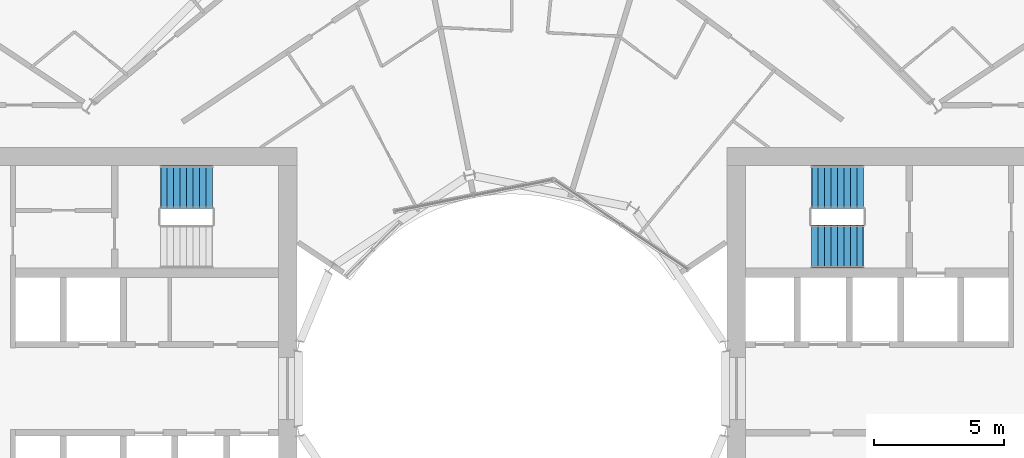
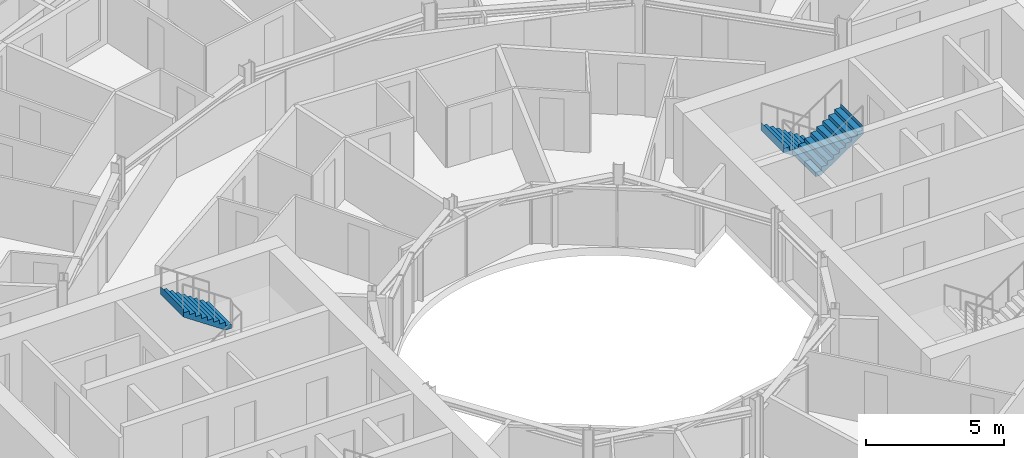
# One storey, part 24 of 25: 3 stair flights, 2 elements without a shape of their own.
"""IFC4 building model written with IfcOpenShell, lengths in metres."""

from ifc_helpers import new_model, si_unit, direction, frame, origin, place, context, subcontext, project, spatial, triangles, material, type_object, element, aggregate, save


model = new_model("IFC4")

# Units and contexts
model_context = context("Model", 3, precision=1e-05, world=origin(), true_north=direction((0.0, 1.0)))
body_context = subcontext(model_context, "Body", "Model", "MODEL_VIEW")
ifc_project = project(units=[si_unit("LENGTHUNIT", "METRE"), si_unit("AREAUNIT", "SQUARE_METRE"), si_unit("VOLUMEUNIT", "CUBIC_METRE"), si_unit("PLANEANGLEUNIT", "RADIAN"), si_unit("MASSUNIT", "GRAM", prefix="KILO")], contexts=[model_context])

# Site, building, storey
site_placement = place(None, origin())
site = spatial("IfcSite", under=ifc_project, at=site_placement, CompositionType="ELEMENT")
building_placement = place(site_placement, origin())
building = spatial("IfcBuilding", under=site, at=building_placement, Name="Maasbend Ring Residences", CompositionType="ELEMENT")
storey_placement = place(building_placement, frame((0.0, 0.0, 94.10009765625)))
storey = spatial("IfcBuildingStorey", under=building, at=storey_placement, Name="L27", CompositionType="ELEMENT", Elevation=94.10009765625)

# Stair, stair flights
ifc_material_1 = material(Name="Concrete C40/50", Category="concrete")
stair_type = type_object("IfcStairType", Name="CORE STAIR 18 RISERS", PredefinedType="HALF_TURN_STAIR", material=ifc_material_1)
stair_1_placement = place(storey_placement, origin())
stair_1 = element("IfcStair", 1, at=stair_1_placement, inside=storey, type_object=stair_type, Name="L27 Exit stair ST-E1", PredefinedType="HALF_TURN_STAIR")
ifc_material_2 = material(Name="Concrete C40/50", Category="concrete")
stair_flight_type = type_object("IfcStairFlightType", Name="CORE STAIR FLIGHT 1650", PredefinedType="STRAIGHT", material=ifc_material_2)
stair_flight_1_placement = place(storey_placement, frame((13.550048828125, 7.77490234375, 0.0), z_axis=(0.0, 0.0, 1.0), x_axis=(-1.0, 0.0, 0.0)))
stair_flight_1 = element("IfcStairFlight", 2, at=stair_flight_1_placement, type_object=stair_flight_type, Name="ST-E1 flight 1", NumberOfRisers=9, NumberOfTreads=8, PredefinedType="STRAIGHT", RiserHeight=0.169444444, TreadLength=0.25, context=body_context, shape_type="Tessellation", body=[
    triangles([(0.24072265625, 0.824951171875, -0.02001953125), (2.0029296875, 0.824951171875, 1.174560546875), (2.0029296875, 0.824951171875, 1.52490234375), (1.989990234375, 0.824951171875, 1.35546875), (1.75, 0.824951171875, 1.35546875), (1.75, 0.824951171875, 1.18603515625), (1.5, 0.824951171875, 1.18603515625), (1.5, 0.824951171875, 1.0166015625), (1.25, 0.824951171875, 1.0166015625), (1.25, 0.824951171875, 0.84716796875), (1.0, 0.824951171875, 0.84716796875), (1.0, 0.824951171875, 0.677734375), (0.75, 0.824951171875, 0.677734375), (0.75, 0.824951171875, 0.50830078125), (0.5, 0.824951171875, 0.50830078125), (0.5, 0.824951171875, 0.3388671875), (0.25, 0.824951171875, 0.3388671875), (0.25, 0.824951171875, 0.16943359375), (0.0, 0.824951171875, 0.16943359375), (0.0, 0.824951171875, 0.0), (-0.0029296875, 0.824951171875, 0.0), (-0.0029296875, 0.824951171875, -0.02001953125), (0.24072265625, 0.27490234375, -0.02001953125), (2.0029296875, 0.27490234375, 1.174560546875), (2.0029296875, 0.27490234375, 1.52490234375), (1.989990234375, 0.27490234375, 1.35546875), (1.75, 0.27490234375, 1.35546875), (1.75, 0.27490234375, 1.18603515625), (1.5, 0.27490234375, 1.18603515625), (1.5, 0.27490234375, 1.0166015625), (1.25, 0.27490234375, 1.0166015625), (1.25, 0.27490234375, 0.84716796875), (1.0, 0.27490234375, 0.84716796875), (1.0, 0.27490234375, 0.677734375), (0.75, 0.27490234375, 0.677734375), (0.75, 0.27490234375, 0.50830078125), (0.5, 0.27490234375, 0.50830078125), (0.5, 0.27490234375, 0.3388671875), (0.25, 0.27490234375, 0.3388671875), (0.25, 0.27490234375, 0.16943359375), (0.0, 0.27490234375, 0.16943359375), (0.0, 0.27490234375, 0.0), (-0.0029296875, 0.27490234375, 0.0), (-0.0029296875, 0.27490234375, -0.02001953125), (0.24072265625, -0.27490234375, -0.02001953125), (2.0029296875, -0.27490234375, 1.174560546875), (2.0029296875, -0.27490234375, 1.52490234375), (1.989990234375, -0.27490234375, 1.35546875), (1.75, -0.27490234375, 1.35546875), (1.75, -0.27490234375, 1.18603515625), (1.5, -0.27490234375, 1.18603515625), (1.5, -0.27490234375, 1.0166015625), (1.25, -0.27490234375, 1.0166015625), (1.25, -0.27490234375, 0.84716796875), (1.0, -0.27490234375, 0.84716796875), (1.0, -0.27490234375, 0.677734375), (0.75, -0.27490234375, 0.677734375), (0.75, -0.27490234375, 0.50830078125), (0.5, -0.27490234375, 0.50830078125), (0.5, -0.27490234375, 0.3388671875), (0.25, -0.27490234375, 0.3388671875), (0.25, -0.27490234375, 0.16943359375), (0.0, -0.27490234375, 0.16943359375), (0.0, -0.27490234375, 0.0), (-0.0029296875, -0.27490234375, 0.0), (-0.0029296875, -0.27490234375, -0.02001953125), (0.24072265625, -0.824951171875, -0.02001953125), (2.0029296875, -0.824951171875, 1.174560546875), (2.0029296875, -0.824951171875, 1.52490234375), (1.989990234375, -0.824951171875, 1.35546875), (1.75, -0.824951171875, 1.35546875), (1.75, -0.824951171875, 1.18603515625), (1.5, -0.824951171875, 1.18603515625), (1.5, -0.824951171875, 1.0166015625), (1.25, -0.824951171875, 1.0166015625), (1.25, -0.824951171875, 0.84716796875), (1.0, -0.824951171875, 0.84716796875), (1.0, -0.824951171875, 0.677734375), (0.75, -0.824951171875, 0.677734375), (0.75, -0.824951171875, 0.50830078125), (0.5, -0.824951171875, 0.50830078125), (0.5, -0.824951171875, 0.3388671875), (0.25, -0.824951171875, 0.3388671875), (0.25, -0.824951171875, 0.16943359375), (0.0, -0.824951171875, 0.16943359375), (0.0, -0.824951171875, 0.0), (-0.0029296875, -0.824951171875, 0.0), (-0.0029296875, -0.824951171875, -0.02001953125)], [[1, 2, 24], [1, 24, 23], [23, 24, 46], [23, 46, 45], [45, 46, 68], [45, 68, 67], [2, 3, 25], [2, 25, 24], [24, 25, 47], [24, 47, 46], [46, 47, 69], [46, 69, 68], [3, 4, 26], [3, 26, 25], [25, 26, 48], [25, 48, 47], [47, 48, 70], [47, 70, 69], [4, 5, 27], [4, 27, 26], [26, 27, 49], [26, 49, 48], [48, 49, 71], [48, 71, 70], [5, 6, 28], [5, 28, 27], [27, 28, 50], [27, 50, 49], [49, 50, 72], [49, 72, 71], [6, 7, 29], [6, 29, 28], [28, 29, 51], [28, 51, 50], [50, 51, 73], [50, 73, 72], [7, 8, 30], [7, 30, 29], [29, 30, 52], [29, 52, 51], [51, 52, 74], [51, 74, 73], [8, 9, 31], [8, 31, 30], [30, 31, 53], [30, 53, 52], [52, 53, 75], [52, 75, 74], [9, 10, 32], [9, 32, 31], [31, 32, 54], [31, 54, 53], [53, 54, 76], [53, 76, 75], [10, 11, 33], [10, 33, 32], [32, 33, 55], [32, 55, 54], [54, 55, 77], [54, 77, 76], [11, 12, 34], [11, 34, 33], [33, 34, 56], [33, 56, 55], [55, 56, 78], [55, 78, 77], [12, 13, 35], [12, 35, 34], [34, 35, 57], [34, 57, 56], [56, 57, 79], [56, 79, 78], [13, 14, 36], [13, 36, 35], [35, 36, 58], [35, 58, 57], [57, 58, 80], [57, 80, 79], [14, 15, 37], [14, 37, 36], [36, 37, 59], [36, 59, 58], [58, 59, 81], [58, 81, 80], [15, 16, 38], [15, 38, 37], [37, 38, 60], [37, 60, 59], [59, 60, 82], [59, 82, 81], [16, 17, 39], [16, 39, 38], [38, 39, 61], [38, 61, 60], [60, 61, 83], [60, 83, 82], [17, 18, 40], [17, 40, 39], [39, 40, 62], [39, 62, 61], [61, 62, 84], [61, 84, 83], [18, 19, 41], [18, 41, 40], [40, 41, 63], [40, 63, 62], [62, 63, 85], [62, 85, 84], [19, 20, 42], [19, 42, 41], [41, 42, 64], [41, 64, 63], [63, 64, 86], [63, 86, 85], [20, 21, 43], [20, 43, 42], [42, 43, 65], [42, 65, 64], [64, 65, 87], [64, 87, 86], [21, 22, 44], [21, 44, 43], [43, 44, 66], [43, 66, 65], [65, 66, 88], [65, 88, 87], [22, 1, 23], [22, 23, 44], [44, 23, 45], [44, 45, 66], [66, 45, 67], [66, 67, 88], [22, 2, 1], [2, 4, 3], [2, 5, 4], [2, 6, 5], [22, 6, 2], [6, 8, 7], [22, 8, 6], [8, 10, 9], [22, 10, 8], [10, 12, 11], [22, 12, 10], [12, 14, 13], [22, 14, 12], [14, 16, 15], [22, 16, 14], [16, 18, 17], [22, 18, 16], [18, 20, 19], [22, 20, 18], [20, 22, 21], [88, 67, 68], [68, 69, 70], [68, 70, 71], [68, 71, 72], [88, 68, 72], [72, 73, 74], [88, 72, 74], [74, 75, 76], [88, 74, 76], [76, 77, 78], [88, 76, 78], [78, 79, 80], [88, 78, 80], [80, 81, 82], [88, 80, 82], [82, 83, 84], [88, 82, 84], [84, 85, 86], [88, 84, 86], [86, 87, 88]], closed=True),
])
stair_flight_2_placement = place(storey_placement, frame((11.550048828125, 5.47509765625, 1.52490234375), z_axis=(0.0, 0.0, 1.0), x_axis=(1.0, 0.0, 0.0)))
stair_flight_2 = element("IfcStairFlight", 3, at=stair_flight_2_placement, type_object=stair_flight_type, Name="ST-E1 flight 2", NumberOfRisers=9, NumberOfTreads=8, PredefinedType="STRAIGHT", RiserHeight=0.169444444, TreadLength=0.25, context=body_context, shape_type="Tessellation", body=[
    triangles([(0.24072265625, 0.824951171875, -0.02001953125), (2.0029296875, 0.824951171875, 1.174560546875), (2.0029296875, 0.824951171875, 1.52490234375), (1.989990234375, 0.824951171875, 1.35546875), (1.75, 0.824951171875, 1.35546875), (1.75, 0.824951171875, 1.18603515625), (1.5, 0.824951171875, 1.18603515625), (1.5, 0.824951171875, 1.0166015625), (1.25, 0.824951171875, 1.0166015625), (1.25, 0.824951171875, 0.84716796875), (1.0, 0.824951171875, 0.84716796875), (1.0, 0.824951171875, 0.677734375), (0.75, 0.824951171875, 0.677734375), (0.75, 0.824951171875, 0.50830078125), (0.5, 0.824951171875, 0.50830078125), (0.5, 0.824951171875, 0.3388671875), (0.25, 0.824951171875, 0.3388671875), (0.25, 0.824951171875, 0.16943359375), (0.0, 0.824951171875, 0.16943359375), (0.0, 0.824951171875, 0.0), (-0.0029296875, 0.824951171875, 0.0), (-0.0029296875, 0.824951171875, -0.02001953125), (0.24072265625, 0.27490234375, -0.02001953125), (2.0029296875, 0.27490234375, 1.174560546875), (2.0029296875, 0.27490234375, 1.52490234375), (1.989990234375, 0.27490234375, 1.35546875), (1.75, 0.27490234375, 1.35546875), (1.75, 0.27490234375, 1.18603515625), (1.5, 0.27490234375, 1.18603515625), (1.5, 0.27490234375, 1.0166015625), (1.25, 0.27490234375, 1.0166015625), (1.25, 0.27490234375, 0.84716796875), (1.0, 0.27490234375, 0.84716796875), (1.0, 0.27490234375, 0.677734375), (0.75, 0.27490234375, 0.677734375), (0.75, 0.27490234375, 0.50830078125), (0.5, 0.27490234375, 0.50830078125), (0.5, 0.27490234375, 0.3388671875), (0.25, 0.27490234375, 0.3388671875), (0.25, 0.27490234375, 0.16943359375), (0.0, 0.27490234375, 0.16943359375), (0.0, 0.27490234375, 0.0), (-0.0029296875, 0.27490234375, 0.0), (-0.0029296875, 0.27490234375, -0.02001953125), (0.24072265625, -0.27490234375, -0.02001953125), (2.0029296875, -0.27490234375, 1.174560546875), (2.0029296875, -0.27490234375, 1.52490234375), (1.989990234375, -0.27490234375, 1.35546875), (1.75, -0.27490234375, 1.35546875), (1.75, -0.27490234375, 1.18603515625), (1.5, -0.27490234375, 1.18603515625), (1.5, -0.27490234375, 1.0166015625), (1.25, -0.27490234375, 1.0166015625), (1.25, -0.27490234375, 0.84716796875), (1.0, -0.27490234375, 0.84716796875), (1.0, -0.27490234375, 0.677734375), (0.75, -0.27490234375, 0.677734375), (0.75, -0.27490234375, 0.50830078125), (0.5, -0.27490234375, 0.50830078125), (0.5, -0.27490234375, 0.3388671875), (0.25, -0.27490234375, 0.3388671875), (0.25, -0.27490234375, 0.16943359375), (0.0, -0.27490234375, 0.16943359375), (0.0, -0.27490234375, 0.0), (-0.0029296875, -0.27490234375, 0.0), (-0.0029296875, -0.27490234375, -0.02001953125), (0.24072265625, -0.824951171875, -0.02001953125), (2.0029296875, -0.824951171875, 1.174560546875), (2.0029296875, -0.824951171875, 1.52490234375), (1.989990234375, -0.824951171875, 1.35546875), (1.75, -0.824951171875, 1.35546875), (1.75, -0.824951171875, 1.18603515625), (1.5, -0.824951171875, 1.18603515625), (1.5, -0.824951171875, 1.0166015625), (1.25, -0.824951171875, 1.0166015625), (1.25, -0.824951171875, 0.84716796875), (1.0, -0.824951171875, 0.84716796875), (1.0, -0.824951171875, 0.677734375), (0.75, -0.824951171875, 0.677734375), (0.75, -0.824951171875, 0.50830078125), (0.5, -0.824951171875, 0.50830078125), (0.5, -0.824951171875, 0.3388671875), (0.25, -0.824951171875, 0.3388671875), (0.25, -0.824951171875, 0.16943359375), (0.0, -0.824951171875, 0.16943359375), (0.0, -0.824951171875, 0.0), (-0.0029296875, -0.824951171875, 0.0), (-0.0029296875, -0.824951171875, -0.02001953125)], [[1, 2, 24], [1, 24, 23], [23, 24, 46], [23, 46, 45], [45, 46, 68], [45, 68, 67], [2, 3, 25], [2, 25, 24], [24, 25, 47], [24, 47, 46], [46, 47, 69], [46, 69, 68], [3, 4, 26], [3, 26, 25], [25, 26, 48], [25, 48, 47], [47, 48, 70], [47, 70, 69], [4, 5, 27], [4, 27, 26], [26, 27, 49], [26, 49, 48], [48, 49, 71], [48, 71, 70], [5, 6, 28], [5, 28, 27], [27, 28, 50], [27, 50, 49], [49, 50, 72], [49, 72, 71], [6, 7, 29], [6, 29, 28], [28, 29, 51], [28, 51, 50], [50, 51, 73], [50, 73, 72], [7, 8, 30], [7, 30, 29], [29, 30, 52], [29, 52, 51], [51, 52, 74], [51, 74, 73], [8, 9, 31], [8, 31, 30], [30, 31, 53], [30, 53, 52], [52, 53, 75], [52, 75, 74], [9, 10, 32], [9, 32, 31], [31, 32, 54], [31, 54, 53], [53, 54, 76], [53, 76, 75], [10, 11, 33], [10, 33, 32], [32, 33, 55], [32, 55, 54], [54, 55, 77], [54, 77, 76], [11, 12, 34], [11, 34, 33], [33, 34, 56], [33, 56, 55], [55, 56, 78], [55, 78, 77], [12, 13, 35], [12, 35, 34], [34, 35, 57], [34, 57, 56], [56, 57, 79], [56, 79, 78], [13, 14, 36], [13, 36, 35], [35, 36, 58], [35, 58, 57], [57, 58, 80], [57, 80, 79], [14, 15, 37], [14, 37, 36], [36, 37, 59], [36, 59, 58], [58, 59, 81], [58, 81, 80], [15, 16, 38], [15, 38, 37], [37, 38, 60], [37, 60, 59], [59, 60, 82], [59, 82, 81], [16, 17, 39], [16, 39, 38], [38, 39, 61], [38, 61, 60], [60, 61, 83], [60, 83, 82], [17, 18, 40], [17, 40, 39], [39, 40, 62], [39, 62, 61], [61, 62, 84], [61, 84, 83], [18, 19, 41], [18, 41, 40], [40, 41, 63], [40, 63, 62], [62, 63, 85], [62, 85, 84], [19, 20, 42], [19, 42, 41], [41, 42, 64], [41, 64, 63], [63, 64, 86], [63, 86, 85], [20, 21, 43], [20, 43, 42], [42, 43, 65], [42, 65, 64], [64, 65, 87], [64, 87, 86], [21, 22, 44], [21, 44, 43], [43, 44, 66], [43, 66, 65], [65, 66, 88], [65, 88, 87], [22, 1, 23], [22, 23, 44], [44, 23, 45], [44, 45, 66], [66, 45, 67], [66, 67, 88], [22, 2, 1], [2, 4, 3], [2, 5, 4], [2, 6, 5], [22, 6, 2], [6, 8, 7], [22, 8, 6], [8, 10, 9], [22, 10, 8], [10, 12, 11], [22, 12, 10], [12, 14, 13], [22, 14, 12], [14, 16, 15], [22, 16, 14], [16, 18, 17], [22, 18, 16], [18, 20, 19], [22, 20, 18], [20, 22, 21], [88, 67, 68], [68, 69, 70], [68, 70, 71], [68, 71, 72], [88, 68, 72], [72, 73, 74], [88, 72, 74], [74, 75, 76], [88, 74, 76], [76, 77, 78], [88, 76, 78], [78, 79, 80], [88, 78, 80], [80, 81, 82], [88, 80, 82], [82, 83, 84], [88, 82, 84], [84, 85, 86], [88, 84, 86], [86, 87, 88]], closed=True),
])
aggregate(stair_1, [stair_flight_1, stair_flight_2])

# Stair, stair flight
stair_2_placement = place(storey_placement, origin())
stair_2 = element("IfcStair", 4, at=stair_2_placement, inside=storey, type_object=stair_type, Name="L27 Exit stair ST-W2", PredefinedType="HALF_TURN_STAIR")
stair_flight_3_placement = place(storey_placement, frame((-11.550048828125, 7.77490234375, 1.52490234375), z_axis=(0.0, 0.0, 1.0), x_axis=(-1.0, 0.0, 0.0)))
stair_flight_3 = element("IfcStairFlight", 5, at=stair_flight_3_placement, type_object=stair_flight_type, Name="ST-W2 flight 2", NumberOfRisers=9, NumberOfTreads=8, PredefinedType="STRAIGHT", RiserHeight=0.169444444, TreadLength=0.25, context=body_context, shape_type="Tessellation", body=[
    triangles([(0.24072265625, 0.824951171875, -0.02001953125), (2.0029296875, 0.824951171875, 1.174560546875), (2.0029296875, 0.824951171875, 1.52490234375), (1.989990234375, 0.824951171875, 1.35546875), (1.75, 0.824951171875, 1.35546875), (1.75, 0.824951171875, 1.18603515625), (1.5, 0.824951171875, 1.18603515625), (1.5, 0.824951171875, 1.0166015625), (1.25, 0.824951171875, 1.0166015625), (1.25, 0.824951171875, 0.84716796875), (1.0, 0.824951171875, 0.84716796875), (1.0, 0.824951171875, 0.677734375), (0.75, 0.824951171875, 0.677734375), (0.75, 0.824951171875, 0.50830078125), (0.5, 0.824951171875, 0.50830078125), (0.5, 0.824951171875, 0.3388671875), (0.25, 0.824951171875, 0.3388671875), (0.25, 0.824951171875, 0.16943359375), (0.0, 0.824951171875, 0.16943359375), (0.0, 0.824951171875, 0.0), (-0.0029296875, 0.824951171875, 0.0), (-0.0029296875, 0.824951171875, -0.02001953125), (0.24072265625, 0.27490234375, -0.02001953125), (2.0029296875, 0.27490234375, 1.174560546875), (2.0029296875, 0.27490234375, 1.52490234375), (1.989990234375, 0.27490234375, 1.35546875), (1.75, 0.27490234375, 1.35546875), (1.75, 0.27490234375, 1.18603515625), (1.5, 0.27490234375, 1.18603515625), (1.5, 0.27490234375, 1.0166015625), (1.25, 0.27490234375, 1.0166015625), (1.25, 0.27490234375, 0.84716796875), (1.0, 0.27490234375, 0.84716796875), (1.0, 0.27490234375, 0.677734375), (0.75, 0.27490234375, 0.677734375), (0.75, 0.27490234375, 0.50830078125), (0.5, 0.27490234375, 0.50830078125), (0.5, 0.27490234375, 0.3388671875), (0.25, 0.27490234375, 0.3388671875), (0.25, 0.27490234375, 0.16943359375), (0.0, 0.27490234375, 0.16943359375), (0.0, 0.27490234375, 0.0), (-0.0029296875, 0.27490234375, 0.0), (-0.0029296875, 0.27490234375, -0.02001953125), (0.24072265625, -0.27490234375, -0.02001953125), (2.0029296875, -0.27490234375, 1.174560546875), (2.0029296875, -0.27490234375, 1.52490234375), (1.989990234375, -0.27490234375, 1.35546875), (1.75, -0.27490234375, 1.35546875), (1.75, -0.27490234375, 1.18603515625), (1.5, -0.27490234375, 1.18603515625), (1.5, -0.27490234375, 1.0166015625), (1.25, -0.27490234375, 1.0166015625), (1.25, -0.27490234375, 0.84716796875), (1.0, -0.27490234375, 0.84716796875), (1.0, -0.27490234375, 0.677734375), (0.75, -0.27490234375, 0.677734375), (0.75, -0.27490234375, 0.50830078125), (0.5, -0.27490234375, 0.50830078125), (0.5, -0.27490234375, 0.3388671875), (0.25, -0.27490234375, 0.3388671875), (0.25, -0.27490234375, 0.16943359375), (0.0, -0.27490234375, 0.16943359375), (0.0, -0.27490234375, 0.0), (-0.0029296875, -0.27490234375, 0.0), (-0.0029296875, -0.27490234375, -0.02001953125), (0.24072265625, -0.824951171875, -0.02001953125), (2.0029296875, -0.824951171875, 1.174560546875), (2.0029296875, -0.824951171875, 1.52490234375), (1.989990234375, -0.824951171875, 1.35546875), (1.75, -0.824951171875, 1.35546875), (1.75, -0.824951171875, 1.18603515625), (1.5, -0.824951171875, 1.18603515625), (1.5, -0.824951171875, 1.0166015625), (1.25, -0.824951171875, 1.0166015625), (1.25, -0.824951171875, 0.84716796875), (1.0, -0.824951171875, 0.84716796875), (1.0, -0.824951171875, 0.677734375), (0.75, -0.824951171875, 0.677734375), (0.75, -0.824951171875, 0.50830078125), (0.5, -0.824951171875, 0.50830078125), (0.5, -0.824951171875, 0.3388671875), (0.25, -0.824951171875, 0.3388671875), (0.25, -0.824951171875, 0.16943359375), (0.0, -0.824951171875, 0.16943359375), (0.0, -0.824951171875, 0.0), (-0.0029296875, -0.824951171875, 0.0), (-0.0029296875, -0.824951171875, -0.02001953125)], [[1, 2, 24], [1, 24, 23], [23, 24, 46], [23, 46, 45], [45, 46, 68], [45, 68, 67], [2, 3, 25], [2, 25, 24], [24, 25, 47], [24, 47, 46], [46, 47, 69], [46, 69, 68], [3, 4, 26], [3, 26, 25], [25, 26, 48], [25, 48, 47], [47, 48, 70], [47, 70, 69], [4, 5, 27], [4, 27, 26], [26, 27, 49], [26, 49, 48], [48, 49, 71], [48, 71, 70], [5, 6, 28], [5, 28, 27], [27, 28, 50], [27, 50, 49], [49, 50, 72], [49, 72, 71], [6, 7, 29], [6, 29, 28], [28, 29, 51], [28, 51, 50], [50, 51, 73], [50, 73, 72], [7, 8, 30], [7, 30, 29], [29, 30, 52], [29, 52, 51], [51, 52, 74], [51, 74, 73], [8, 9, 31], [8, 31, 30], [30, 31, 53], [30, 53, 52], [52, 53, 75], [52, 75, 74], [9, 10, 32], [9, 32, 31], [31, 32, 54], [31, 54, 53], [53, 54, 76], [53, 76, 75], [10, 11, 33], [10, 33, 32], [32, 33, 55], [32, 55, 54], [54, 55, 77], [54, 77, 76], [11, 12, 34], [11, 34, 33], [33, 34, 56], [33, 56, 55], [55, 56, 78], [55, 78, 77], [12, 13, 35], [12, 35, 34], [34, 35, 57], [34, 57, 56], [56, 57, 79], [56, 79, 78], [13, 14, 36], [13, 36, 35], [35, 36, 58], [35, 58, 57], [57, 58, 80], [57, 80, 79], [14, 15, 37], [14, 37, 36], [36, 37, 59], [36, 59, 58], [58, 59, 81], [58, 81, 80], [15, 16, 38], [15, 38, 37], [37, 38, 60], [37, 60, 59], [59, 60, 82], [59, 82, 81], [16, 17, 39], [16, 39, 38], [38, 39, 61], [38, 61, 60], [60, 61, 83], [60, 83, 82], [17, 18, 40], [17, 40, 39], [39, 40, 62], [39, 62, 61], [61, 62, 84], [61, 84, 83], [18, 19, 41], [18, 41, 40], [40, 41, 63], [40, 63, 62], [62, 63, 85], [62, 85, 84], [19, 20, 42], [19, 42, 41], [41, 42, 64], [41, 64, 63], [63, 64, 86], [63, 86, 85], [20, 21, 43], [20, 43, 42], [42, 43, 65], [42, 65, 64], [64, 65, 87], [64, 87, 86], [21, 22, 44], [21, 44, 43], [43, 44, 66], [43, 66, 65], [65, 66, 88], [65, 88, 87], [22, 1, 23], [22, 23, 44], [44, 23, 45], [44, 45, 66], [66, 45, 67], [66, 67, 88], [22, 2, 1], [2, 4, 3], [2, 5, 4], [2, 6, 5], [22, 6, 2], [6, 8, 7], [22, 8, 6], [8, 10, 9], [22, 10, 8], [10, 12, 11], [22, 12, 10], [12, 14, 13], [22, 14, 12], [14, 16, 15], [22, 16, 14], [16, 18, 17], [22, 18, 16], [18, 20, 19], [22, 20, 18], [20, 22, 21], [88, 67, 68], [68, 69, 70], [68, 70, 71], [68, 71, 72], [88, 68, 72], [72, 73, 74], [88, 72, 74], [74, 75, 76], [88, 74, 76], [76, 77, 78], [88, 76, 78], [78, 79, 80], [88, 78, 80], [80, 81, 82], [88, 80, 82], [82, 83, 84], [88, 82, 84], [84, 85, 86], [88, 84, 86], [86, 87, 88]], closed=True),
])
aggregate(stair_2, [stair_flight_3])

save(model, "model.ifc")
